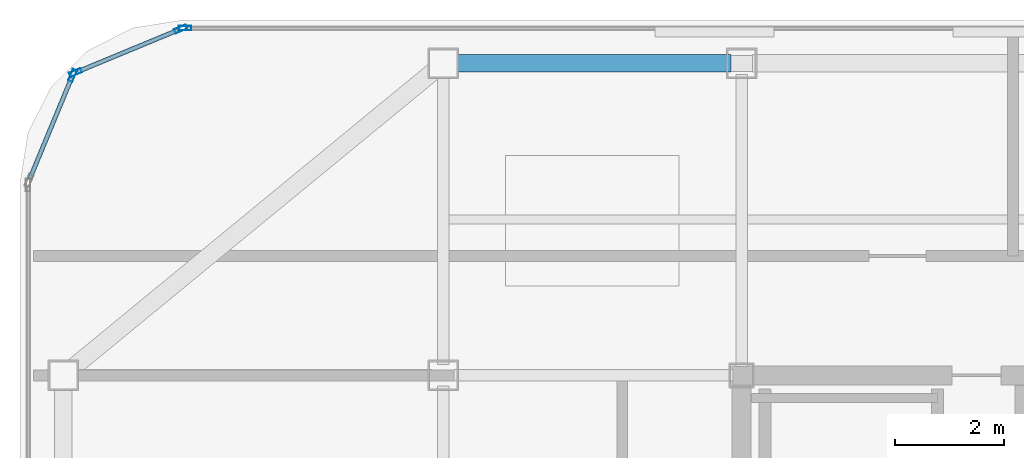
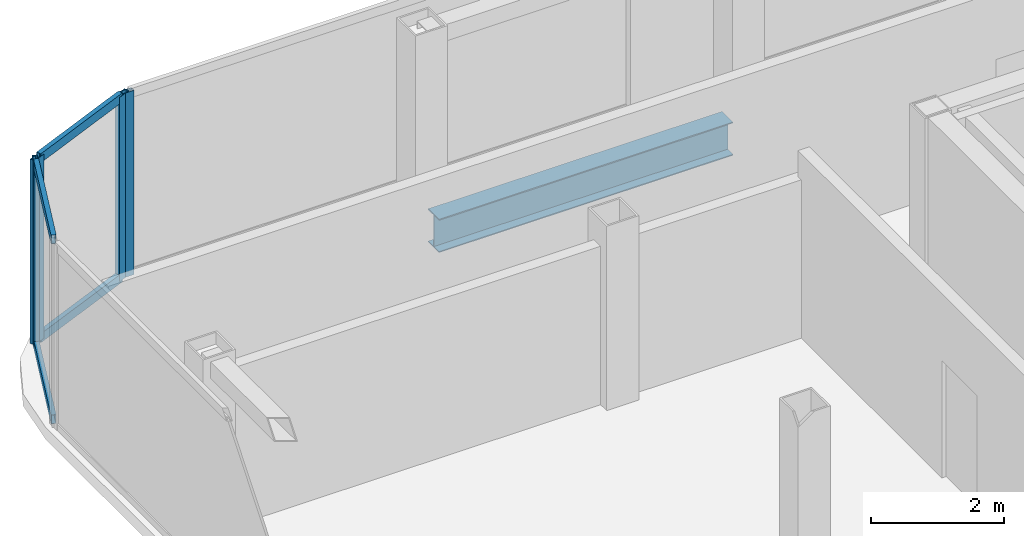
# One storey, part 9 of 15: 8 members, 1 beam, 3 elements without a shape of their own.
"""IFC4 building model written with IfcOpenShell, lengths in metres."""

from ifc_helpers import new_model, si_unit, direction, frame, origin, origin_2d, place, context, subcontext, project, spatial, hollow_rectangle, i_section, extrude, source, transform, mapped, material, layer, layer_set, material_profile, profile_set, type_object, element, aggregate, save


model = new_model("IFC4")

# Units and contexts
model_context = context("Model", 3, precision=1e-05, world=origin(), true_north=direction((0.0, 1.0)))
body_context = subcontext(model_context, "Body", "Model", "MODEL_VIEW")
ifc_project = project(units=[si_unit("LENGTHUNIT", "METRE"), si_unit("AREAUNIT", "SQUARE_METRE"), si_unit("VOLUMEUNIT", "CUBIC_METRE"), si_unit("PLANEANGLEUNIT", "RADIAN"), si_unit("MASSUNIT", "GRAM", prefix="KILO")], contexts=[model_context])

# Site, building, storey
site_placement = place(None, origin())
site = spatial("IfcSite", under=ifc_project, at=site_placement, CompositionType="ELEMENT")
building_placement = place(site_placement, origin())
building = spatial("IfcBuilding", under=site, at=building_placement, Name="Kolveth Station Tower", CompositionType="ELEMENT")
storey_placement = place(building_placement, frame((0.0, 0.0, 271.300048828125)))
storey = spatial("IfcBuildingStorey", under=building, at=storey_placement, Name="L78", CompositionType="ELEMENT", Elevation=271.300048828125)

# Beam
ifc_material_1 = material(Name="Steel S355", Category="steel")
ifc_material_profile_1 = material_profile(ifc_material_1, i_section(OverallWidth=0.323974609375, OverallDepth=0.611083984375, WebThickness=0.0126953125, FlangeThickness=0.01904296875, at=origin_2d()), Name="W610x155")
ifc_profile_set_1 = profile_set([ifc_material_profile_1], Name="Steel S355")
beam_type = type_object("IfcBeamType", Name="Beam_SP2", PredefinedType="SPANDREL", material=ifc_profile_set_1)
shared_shape_1 = source(origin(), body_context, "Body", "SweptSolid", [
    extrude(i_section(OverallWidth=0.323974609375, OverallDepth=0.611083984375, WebThickness=0.0126953125, FlangeThickness=0.01904296875, at=origin_2d()), origin(), (0.0, 0.0, 1.0), 5.10009765625),
])
beam_placement = place(storey_placement, frame((13.199951171875, 34.5, -0.525634765625), z_axis=(1.0, 0.0, 0.0), x_axis=(0.0, 1.0, 0.0)))
element("IfcBeam", 1, at=beam_placement, inside=storey, type_object=beam_type, Name="L78 Perimeter Spandrel BM-L78-PN-1", PredefinedType="SPANDREL", context=body_context, shape_type="MappedRepresentation", body=[
    mapped(shared_shape_1, transform((0.0, 0.0, 0.0), x_axis=(1.0, 0.0, 0.0), y_axis=(0.0, 1.0, 0.0), z_axis=(0.0, 0.0, 1.0), scale=1.0)),
])

# Curtain wall, member
ifc_material_2 = material(Name="Black anodized aluminium 6063-T6 and dark crown glass", Category="aluminium")
ifc_layer = layer(ifc_material_2, 0.169921875)
ifc_layer_set = layer_set([ifc_layer], Name="Black anodized aluminium 6063-T6 and dark crown glass")
curtain_wall_type = type_object("IfcCurtainWallType", Name="CurtainWall_CW-CR", PredefinedType="NOTDEFINED", material=ifc_layer_set)
curtain_wall_1_placement = place(storey_placement, origin())
curtain_wall_1 = element("IfcCurtainWall", 2, at=curtain_wall_1_placement, inside=storey, type_object=curtain_wall_type, Name="L78 Stepped Crown Curtain Wall 6", PredefinedType="NOTDEFINED")
ifc_material_3 = material(Name="Black anodized aluminium 6063-T6", Category="aluminium")
ifc_material_profile_2 = material_profile(ifc_material_3, hollow_rectangle(XDim=0.0849609375, YDim=0.22998046875, WallThickness=0.0048828125, at=origin_2d()), Name="ALU-85x230x5")
ifc_profile_set_2 = profile_set([ifc_material_profile_2], Name="Black anodized aluminium 6063-T6")
member_type_1 = type_object("IfcMemberType", Name="Mullion_ML-CR", PredefinedType="MULLION", material=ifc_profile_set_2)
shared_shape_2 = source(origin(), body_context, "Body", "SweptSolid", [
    extrude(hollow_rectangle(XDim=0.0849609375, YDim=0.22998046875, WallThickness=0.0048828125, at=origin_2d()), origin(), (0.0, 0.0, 1.0), 3.3798828125),
])
member_1_placement = place(storey_placement, frame((8.242431640625, 35.14990234375, 0.0), z_axis=(0.0, 0.0, 1.0), x_axis=(0.0, -1.0, 0.0)))
member_1 = element("IfcMember", 3, at=member_1_placement, type_object=member_type_1, Name="CW-CR mullion 2", PredefinedType="MULLION", context=body_context, shape_type="MappedRepresentation", body=[
    mapped(shared_shape_2, transform((0.0, 0.0, 0.0), x_axis=(1.0, 0.0, 0.0), y_axis=(0.0, 1.0, 0.0), z_axis=(0.0, 0.0, 1.0), scale=1.0)),
])
aggregate(curtain_wall_1, [member_1])

# Curtain wall, members
curtain_wall_2_placement = place(storey_placement, origin())
curtain_wall_2 = element("IfcCurtainWall", 4, at=curtain_wall_2_placement, inside=storey, type_object=curtain_wall_type, Name="L78 Stepped Crown Curtain Wall 7", PredefinedType="NOTDEFINED")
member_2_placement = place(storey_placement, frame((8.16064453125, 35.1337890625, 0.0), z_axis=(0.0, 0.0, 1.0), x_axis=(0.382658157192, -0.923890001426, 0.0)))
member_2 = element("IfcMember", 5, at=member_2_placement, type_object=member_type_1, Name="CW-CR mullion 1", PredefinedType="MULLION", context=body_context, shape_type="MappedRepresentation", body=[
    mapped(shared_shape_2, transform((0.0, 0.0, 0.0), x_axis=(1.0, 0.0, 0.0), y_axis=(0.0, 1.0, 0.0), z_axis=(0.0, 0.0, 1.0), scale=1.0)),
])
member_3_placement = place(storey_placement, frame((6.223876953125, 34.33154296875, 0.0), z_axis=(0.0, 0.0, 1.0), x_axis=(0.382658157192, -0.923890001426, 0.0)))
member_3 = element("IfcMember", 6, at=member_3_placement, type_object=member_type_1, Name="CW-CR mullion 2", PredefinedType="MULLION", context=body_context, shape_type="MappedRepresentation", body=[
    mapped(shared_shape_2, transform((0.0, 0.0, 0.0), x_axis=(1.0, 0.0, 0.0), y_axis=(0.0, 1.0, 0.0), z_axis=(0.0, 0.0, 1.0), scale=1.0)),
])

# Curtain wall, member
curtain_wall_3_placement = place(storey_placement, origin())
curtain_wall_3 = element("IfcCurtainWall", 7, at=curtain_wall_3_placement, inside=storey, type_object=curtain_wall_type, Name="L78 Stepped Crown Curtain Wall 8", PredefinedType="NOTDEFINED")
member_4_placement = place(storey_placement, frame((6.16845703125, 34.276123046875, 0.0), z_axis=(0.0, 0.0, 1.0), x_axis=(0.923890001426, -0.382658157192, 0.0)))
member_4 = element("IfcMember", 8, at=member_4_placement, type_object=member_type_1, Name="CW-CR mullion 1", PredefinedType="MULLION", context=body_context, shape_type="MappedRepresentation", body=[
    mapped(shared_shape_2, transform((0.0, 0.0, 0.0), x_axis=(1.0, 0.0, 0.0), y_axis=(0.0, 1.0, 0.0), z_axis=(0.0, 0.0, 1.0), scale=1.0)),
])

# Member
ifc_material_profile_3 = material_profile(ifc_material_3, hollow_rectangle(XDim=0.080078125, YDim=0.1650390625, WallThickness=0.0048828125, at=origin_2d()), Name="ALU-80x165x5")
ifc_profile_set_3 = profile_set([ifc_material_profile_3], Name="Black anodized aluminium 6063-T6")
member_type_2 = type_object("IfcMemberType", Name="Transom_TR-CR", PredefinedType="USERDEFINED", material=ifc_profile_set_3)
shared_shape_3 = source(origin(), body_context, "Body", "SweptSolid", [
    extrude(hollow_rectangle(XDim=0.080078125, YDim=0.1650390625, WallThickness=0.0048828125, at=origin_2d()), origin(), (0.0, 0.0, 1.0), 2.011474609375),
])
member_5_placement = place(storey_placement, frame((8.12158203125, 35.117431640625, 0.0400390625), z_axis=(-0.92392216698, -0.382580487431, 0.0), x_axis=(0.382580487431, -0.92392216698, 0.0)))
member_5 = element("IfcMember", 9, at=member_5_placement, type_object=member_type_2, Name="CW-CR transom 1.1", ObjectType="TRANSOM", PredefinedType="USERDEFINED", context=body_context, shape_type="MappedRepresentation", body=[
    mapped(shared_shape_3, transform((0.0, 0.0, 0.0), x_axis=(1.0, 0.0, 0.0), y_axis=(0.0, 1.0, 0.0), z_axis=(0.0, 0.0, 1.0), scale=1.0)),
])

member_6_placement = place(storey_placement, frame((8.12158203125, 35.117431640625, 3.33984375), z_axis=(-0.92392216698, -0.382580487431, 0.0), x_axis=(0.382580487431, -0.92392216698, 0.0)))
member_6 = element("IfcMember", 10, at=member_6_placement, type_object=member_type_2, Name="CW-CR transom 1.2", ObjectType="TRANSOM", PredefinedType="USERDEFINED", context=body_context, shape_type="MappedRepresentation", body=[
    mapped(shared_shape_3, transform((0.0, 0.0, 0.0), x_axis=(1.0, 0.0, 0.0), y_axis=(0.0, 1.0, 0.0), z_axis=(0.0, 0.0, 1.0), scale=1.0)),
])

aggregate(curtain_wall_2, [member_2, member_3, member_5, member_6])

member_7_placement = place(storey_placement, frame((6.152099609375, 34.23681640625, 0.0400390625), z_axis=(-0.382580487431, -0.92392216698, 0.0), x_axis=(0.92392216698, -0.382580487431, 0.0)))
member_7 = element("IfcMember", 11, at=member_7_placement, type_object=member_type_2, Name="CW-CR transom 1.1", ObjectType="TRANSOM", PredefinedType="USERDEFINED", context=body_context, shape_type="MappedRepresentation", body=[
    mapped(shared_shape_3, transform((0.0, 0.0, 0.0), x_axis=(1.0, 0.0, 0.0), y_axis=(0.0, 1.0, 0.0), z_axis=(0.0, 0.0, 1.0), scale=1.0)),
])

member_8_placement = place(storey_placement, frame((6.152099609375, 34.23681640625, 3.33984375), z_axis=(-0.382580487431, -0.92392216698, 0.0), x_axis=(0.92392216698, -0.382580487431, 0.0)))
member_8 = element("IfcMember", 12, at=member_8_placement, type_object=member_type_2, Name="CW-CR transom 1.2", ObjectType="TRANSOM", PredefinedType="USERDEFINED", context=body_context, shape_type="MappedRepresentation", body=[
    mapped(shared_shape_3, transform((0.0, 0.0, 0.0), x_axis=(1.0, 0.0, 0.0), y_axis=(0.0, 1.0, 0.0), z_axis=(0.0, 0.0, 1.0), scale=1.0)),
])

aggregate(curtain_wall_3, [member_4, member_7, member_8])

save(model, "model.ifc")
